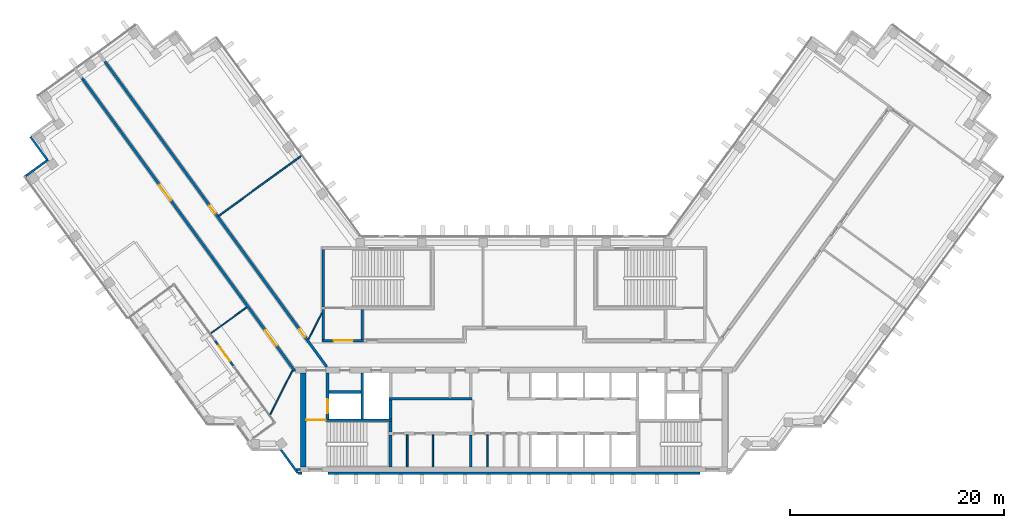
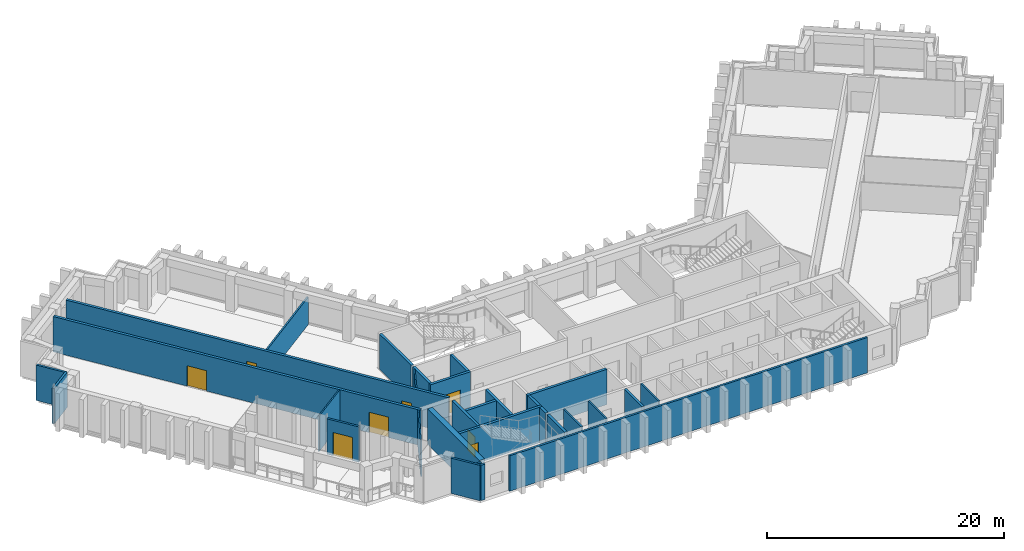
# One storey, part 5 of 12: 30 walls, 8 doors, 8 openings.
"""IFC4 building model written with IfcOpenShell, lengths in metres."""

from ifc_helpers import new_model, si_unit, direction, frame, frame_2d, origin, place, context, subcontext, project, spatial, rectangle, extrude, material, layer, layer_set, type_object, element, fill, save


model = new_model("IFC4")

# Units and contexts
model_context = context("Model", 3, precision=1e-05, world=origin(), true_north=direction((0.0, 1.0)))
body_context = subcontext(model_context, "Body", "Model", "MODEL_VIEW")
ifc_project = project(units=[si_unit("LENGTHUNIT", "METRE"), si_unit("AREAUNIT", "SQUARE_METRE"), si_unit("VOLUMEUNIT", "CUBIC_METRE"), si_unit("PLANEANGLEUNIT", "RADIAN"), si_unit("MASSUNIT", "GRAM", prefix="KILO")], contexts=[model_context])

# Site, building, storey
site_placement = place(None, origin())
site = spatial("IfcSite", under=ifc_project, at=site_placement, CompositionType="ELEMENT")
building_placement = place(site_placement, origin())
building = spatial("IfcBuilding", under=site, at=building_placement, Name="Quipu Civic Tower", CompositionType="ELEMENT")
storey_placement = place(building_placement, frame((0.0, 0.0, 164.0)))
storey = spatial("IfcBuildingStorey", under=building, at=storey_placement, Name="L38", CompositionType="ELEMENT", Elevation=164.0)

# Walls
ifc_material_1 = material(Name="Double gypsum plasterboard with mineral wool")
ifc_layer_1 = layer(ifc_material_1, 0.14990234375)
ifc_layer_set_1 = layer_set([ifc_layer_1], Name="Double gypsum plasterboard with mineral wool")
wall_type_1 = type_object("IfcWallType", Name="Acoustic partition 150 plasterboard", PredefinedType="PARTITIONING", material=ifc_layer_set_1)
wall_1_placement = place(storey_placement, frame((-19.938232421875, 18.62939453125, 0.0), z_axis=(0.0, 0.0, 1.0), x_axis=(-0.80900684162, -0.587799226107, 0.0)))
element("IfcWall", 1, at=wall_1_placement, inside=storey, type_object=wall_type_1, Name="Partition P06", PredefinedType="PARTITIONING", context=body_context, shape_type="SweptSolid", body=[
    extrude(rectangle(XDim=9.550048828125, YDim=0.14990234375, at=frame_2d((4.77490234375, 0.0))), origin(), (0.0, 0.0, 1.0), 2.85009765625),
])
ifc_material_2 = material(Name="Concrete C70/85", Category="concrete")
ifc_layer_2 = layer(ifc_material_2, 0.25)
ifc_layer_set_2 = layer_set([ifc_layer_2], Name="Concrete C70/85")
wall_type_2 = type_object("IfcWallType", Name="Core wall 250", PredefinedType="SHEAR", material=ifc_layer_set_2)
wall_2_placement = place(storey_placement, frame((-11.574951171875, -10.5, 0.0), z_axis=(0.0, 0.0, 1.0), x_axis=(0.0, 1.0, 0.0)))
element("IfcWall", 2, at=wall_2_placement, inside=storey, type_object=wall_type_2, Name="Core wall", PredefinedType="SHEAR", context=body_context, shape_type="SweptSolid", body=[
    extrude(rectangle(XDim=3.0, YDim=0.25, at=frame_2d((1.5, 0.0))), origin(), (0.0, 0.0, 1.0), 3.64990234375),
])
wall_3_placement = place(storey_placement, frame((-11.574951171875, -7.25, 0.0), z_axis=(0.0, 0.0, 1.0), x_axis=(0.0, 1.0, 0.0)))
element("IfcWall", 3, at=wall_3_placement, inside=storey, type_object=wall_type_2, Name="Core wall", PredefinedType="SHEAR", context=body_context, shape_type="SweptSolid", body=[
    extrude(rectangle(XDim=1.0, YDim=0.25, at=frame_2d((0.5, 0.0))), origin(), (0.0, 0.0, 1.0), 3.64990234375),
])

# Wall, opening, door
wall_4_placement = place(storey_placement, frame((-11.449951171875, -6.125, 0.0), z_axis=(0.0, 0.0, 1.0), x_axis=(-1.0, 0.0, 0.0)))
wall_4 = element("IfcWall", 4, at=wall_4_placement, inside=storey, type_object=wall_type_2, Name="Core wall", PredefinedType="SHEAR", context=body_context, shape_type="SweptSolid", body=[
    extrude(rectangle(XDim=8.050048828125, YDim=0.25, at=frame_2d((4.02490234375, 0.0))), origin(), (0.0, 0.0, 1.0), 3.64990234375),
])
opening_1_placement = place(wall_4_placement, frame((6.199951171875, 0.0, 0.0)))
opening_1 = element("IfcOpeningElement", 5, at=opening_1_placement, cuts=wall_4, Name="Opening CD-08", PredefinedType="OPENING", context=body_context, shape_type="SweptSolid", body=[
    extrude(rectangle(XDim=1.800048828125, YDim=2.10009765625, at=frame_2d((0.89990234375, 1.050048828125))), frame((0.0, 0.135009765625, 0.0), z_axis=(0.0, -1.0, 0.0), x_axis=(1.0, 0.0, 0.0)), (0.0, 0.0, 1.0), 0.27001953125),
])
ifc_material_3 = material(Name="Fire rated steel door", Category="steel")
door_type_1 = type_object("IfcDoorType", Name="Fire door FD90 double 1800 x 2100", OperationType="NOTDEFINED", PredefinedType="DOOR", material=ifc_material_3)
door_1_placement = place(opening_1_placement, origin())
door_1 = element("IfcDoor", 6, at=door_1_placement, inside=storey, type_object=door_type_1, Name="Door", OperationType="DOUBLE_DOOR_SINGLE_SWING", OverallHeight=2.10009765625, OverallWidth=1.800048828125, PredefinedType="DOOR", context=body_context, shape_type="SweptSolid", body=[
    extrude(rectangle(XDim=1.800048828125, YDim=2.10009765625, at=frame_2d((0.89990234375, 1.050048828125))), frame((0.0, 0.02490234375, 0.0), z_axis=(0.0, -1.0, 0.0), x_axis=(1.0, 0.0, 0.0)), (0.0, 0.0, 1.0), 0.050048828125),
])
fill(opening_1, door_1)

wall_5_placement = place(storey_placement, frame((-17.47509765625, -6.0, 0.0), z_axis=(0.0, 0.0, 1.0), x_axis=(0.0, 1.0, 0.0)))
wall_5 = element("IfcWall", 7, at=wall_5_placement, inside=storey, type_object=wall_type_2, Name="Core wall", PredefinedType="SHEAR", context=body_context, shape_type="SweptSolid", body=[
    extrude(rectangle(XDim=4.300048828125, YDim=0.25, at=frame_2d((2.14990234375, 0.0))), origin(), (0.0, 0.0, 1.0), 3.64990234375),
])
opening_2_placement = place(wall_5_placement, frame((0.550048828125, 0.0, 0.0)))
opening_2 = element("IfcOpeningElement", 8, at=opening_2_placement, cuts=wall_5, Name="Opening LD-FF1", PredefinedType="OPENING", context=body_context, shape_type="SweptSolid", body=[
    extrude(rectangle(XDim=1.300048828125, YDim=2.10009765625, at=frame_2d((0.64990234375, 1.050048828125))), frame((0.0, 0.135009765625, 0.0), z_axis=(0.0, -1.0, 0.0), x_axis=(1.0, 0.0, 0.0)), (0.0, 0.0, 1.0), 0.27001953125),
])
ifc_material_4 = material(Name="Stainless steel", Category="steel")
door_type_2 = type_object("IfcDoorType", Name="Lift landing door 1300 x 2100", OperationType="DOUBLE_DOOR_SLIDING", PredefinedType="DOOR", material=ifc_material_4)
door_2_placement = place(opening_2_placement, origin())
door_2 = element("IfcDoor", 9, at=door_2_placement, inside=storey, type_object=door_type_2, Name="Landing door FF1", OperationType="DOUBLE_DOOR_SLIDING", OverallHeight=2.10009765625, OverallWidth=1.300048828125, PredefinedType="DOOR", context=body_context, shape_type="SweptSolid", body=[
    extrude(rectangle(XDim=1.300048828125, YDim=2.10009765625, at=frame_2d((0.64990234375, 1.050048828125))), frame((0.0, 0.02490234375, 0.0), z_axis=(0.0, -1.0, 0.0), x_axis=(1.0, 0.0, 0.0)), (0.0, 0.0, 1.0), 0.050048828125),
])
fill(opening_2, door_2)

# Walls
wall_6_placement = place(storey_placement, frame((-14.22509765625, -6.0, 0.0), z_axis=(0.0, 0.0, 1.0), x_axis=(0.0, 1.0, 0.0)))
element("IfcWall", 10, at=wall_6_placement, inside=storey, type_object=wall_type_2, Name="Core wall", PredefinedType="SHEAR", context=body_context, shape_type="SweptSolid", body=[
    extrude(rectangle(XDim=4.300048828125, YDim=0.25, at=frame_2d((2.14990234375, 0.0))), origin(), (0.0, 0.0, 1.0), 3.64990234375),
])
wall_7_placement = place(storey_placement, frame((-11.574951171875, -6.0, 0.0), z_axis=(0.0, 0.0, 1.0), x_axis=(0.0, 1.0, 0.0)))
element("IfcWall", 11, at=wall_7_placement, inside=storey, type_object=wall_type_2, Name="Core wall", PredefinedType="SHEAR", context=body_context, shape_type="SweptSolid", body=[
    extrude(rectangle(XDim=1.75, YDim=0.25, at=frame_2d((0.875, 0.0))), origin(), (0.0, 0.0, 1.0), 3.64990234375),
])
wall_8_placement = place(storey_placement, frame((-11.699951171875, -4.125, 0.0), z_axis=(0.0, 0.0, 1.0), x_axis=(1.0, 0.0, 0.0)))
element("IfcWall", 12, at=wall_8_placement, inside=storey, type_object=wall_type_2, Name="Core wall", PredefinedType="SHEAR", context=body_context, shape_type="SweptSolid", body=[
    extrude(rectangle(XDim=7.75, YDim=0.25, at=frame_2d((3.875, 0.0))), origin(), (0.0, 0.0, 1.0), 3.64990234375),
])
wall_9_placement = place(storey_placement, frame((-17.35009765625, -3.47509765625, 0.0), z_axis=(0.0, 0.0, 1.0), x_axis=(1.0, 0.0, 0.0)))
element("IfcWall", 13, at=wall_9_placement, inside=storey, type_object=wall_type_2, Name="Core wall", PredefinedType="SHEAR", context=body_context, shape_type="SweptSolid", body=[
    extrude(rectangle(XDim=3.0, YDim=0.25, at=frame_2d((1.5, 0.0))), origin(), (0.0, 0.0, 1.0), 3.64990234375),
])

# Wall, opening, door
wall_10_placement = place(storey_placement, frame((-18.0, 1.324951171875, 0.0), z_axis=(0.0, 0.0, 1.0), x_axis=(1.0, 0.0, 0.0)))
wall_10 = element("IfcWall", 14, at=wall_10_placement, inside=storey, type_object=wall_type_2, Name="Core wall", PredefinedType="SHEAR", context=body_context, shape_type="SweptSolid", body=[
    extrude(rectangle(XDim=3.89990234375, YDim=0.25, at=frame_2d((1.949951171875, 0.0))), origin(), (0.0, 0.0, 1.0), 3.64990234375),
])
opening_3_placement = place(wall_10_placement, frame((1.10009765625, 0.0, 0.0)))
opening_3 = element("IfcOpeningElement", 15, at=opening_3_placement, cuts=wall_10, Name="Opening CD-22", PredefinedType="OPENING", context=body_context, shape_type="SweptSolid", body=[
    extrude(rectangle(XDim=1.800048828125, YDim=2.10009765625, at=frame_2d((0.89990234375, 1.050048828125))), frame((0.0, 0.135009765625, 0.0), z_axis=(0.0, -1.0, 0.0), x_axis=(1.0, 0.0, 0.0)), (0.0, 0.0, 1.0), 0.27001953125),
])
door_3_placement = place(opening_3_placement, origin())
door_3 = element("IfcDoor", 16, at=door_3_placement, inside=storey, type_object=door_type_1, Name="Lobby door", OperationType="DOUBLE_DOOR_SINGLE_SWING", OverallHeight=2.10009765625, OverallWidth=1.800048828125, PredefinedType="DOOR", context=body_context, shape_type="SweptSolid", body=[
    extrude(rectangle(XDim=1.800048828125, YDim=2.10009765625, at=frame_2d((0.89990234375, 1.050048828125))), frame((0.0, 0.02490234375, 0.0), z_axis=(0.0, -1.0, 0.0), x_axis=(1.0, 0.0, 0.0)), (0.0, 0.0, 1.0), 0.050048828125),
])
fill(opening_3, door_3)

# Walls
for number, where, z_axis, x_axis, name in (
    (17, (-17.875, 1.449951171875, 0.0), (0.0, 0.0, 1.0), (0.0, 1.0, 0.0), "Core wall"),
    (18, (-14.22509765625, 1.449951171875, 0.0), (0.0, 0.0, 1.0), (0.0, 1.0, 0.0), "Core wall"),
):
    element("IfcWall", number, at=place(storey_placement, frame(where, z_axis=z_axis, x_axis=x_axis)), inside=storey, type_object=wall_type_2, Name=name, PredefinedType="SHEAR", context=body_context, shape_type="SweptSolid", body=[
        extrude(rectangle(XDim=2.800048828125, YDim=0.25, at=frame_2d((1.39990234375, 0.0))), origin(), (0.0, 0.0, 1.0), 3.64990234375),
    ])
wall_11_placement = place(storey_placement, frame((-17.875, 4.5, 0.0), z_axis=(0.0, 0.0, 1.0), x_axis=(0.0, 1.0, 0.0)))
element("IfcWall", 19, at=wall_11_placement, inside=storey, type_object=wall_type_2, Name="Core wall", PredefinedType="SHEAR", context=body_context, shape_type="SweptSolid", body=[
    extrude(rectangle(XDim=5.35009765625, YDim=0.25, at=frame_2d((2.675048828125, 0.0))), origin(), (0.0, 0.0, 1.0), 3.64990234375),
])
ifc_material_5 = material(Name="Concrete C70/85", Category="concrete")
ifc_layer_3 = layer(ifc_material_5, 0.5)
ifc_layer_set_3 = layer_set([ifc_layer_3], Name="Concrete C70/85")
wall_type_3 = type_object("IfcWallType", Name="Core wall 500", PredefinedType="SHEAR", material=ifc_layer_set_3)
wall_12_placement = place(storey_placement, frame((-19.75, -10.5, 0.0), z_axis=(0.0, 0.0, 1.0), x_axis=(0.0, 1.0, 0.0)))
element("IfcWall", 20, at=wall_12_placement, inside=storey, type_object=wall_type_3, Name="Core wall", PredefinedType="SHEAR", context=body_context, shape_type="SweptSolid", body=[
    extrude(rectangle(XDim=8.800048828125, YDim=0.5, at=frame_2d((4.39990234375, 0.0))), origin(), (0.0, 0.0, 1.0), 3.64990234375),
])

# Wall, openings, doors
ifc_material_6 = material(Name="Concrete C50/60", Category="concrete")
ifc_layer_4 = layer(ifc_material_6, 0.25)
ifc_layer_set_4 = layer_set([ifc_layer_4], Name="Concrete C50/60")
wall_type_4 = type_object("IfcWallType", Name="Corridor wall 250 concrete", PredefinedType="SOLIDWALL", material=ifc_layer_set_4)
wall_13_placement = place(storey_placement, frame((-20.531005859375, -1.5234375, 0.0), z_axis=(0.0, 0.0, 1.0), x_axis=(-0.587781654618, 0.809019608226, 0.0)))
wall_13 = element("IfcWall", 21, at=wall_13_placement, inside=storey, type_object=wall_type_4, Name="Corridor wall C05", PredefinedType="SOLIDWALL", context=body_context, shape_type="SweptSolid", body=[
    extrude(rectangle(XDim=33.9111328125, YDim=0.25, at=frame_2d((16.95556640625, 0.0))), origin(), (0.0, 0.0, 1.0), 3.64990234375),
])
opening_4_placement = place(wall_13_placement, frame((19.743408203125, 0.0, 0.0)))
opening_4 = element("IfcOpeningElement", 22, at=opening_4_placement, cuts=wall_13, Name="Opening D012", PredefinedType="OPENING", context=body_context, shape_type="SweptSolid", body=[
    extrude(rectangle(XDim=1.800048828125, YDim=2.10009765625, at=frame_2d((0.89990234375, 1.050048828125))), frame((0.0, 0.135009765625, 0.0), z_axis=(0.0, -1.0, 0.0), x_axis=(1.0, 0.0, 0.0)), (0.0, 0.0, 1.0), 0.27001953125),
])
opening_5_placement = place(wall_13_placement, frame((2.92431640625, 0.0, 0.0)))
opening_5 = element("IfcOpeningElement", 23, at=opening_5_placement, cuts=wall_13, Name="Opening D013", PredefinedType="OPENING", context=body_context, shape_type="SweptSolid", body=[
    extrude(rectangle(XDim=1.800048828125, YDim=2.10009765625, at=frame_2d((0.89990234375, 1.050048828125))), frame((0.0, 0.135009765625, 0.0), z_axis=(0.0, -1.0, 0.0), x_axis=(1.0, 0.0, 0.0)), (0.0, 0.0, 1.0), 0.27001953125),
])
ifc_material_7 = material(Name="Fire rated timber door set with metal frame", Category="wood")
door_type_3 = type_object("IfcDoorType", Name="Double door 1800 x 2100 FD60", OperationType="DOUBLE_DOOR_SINGLE_SWING", PredefinedType="DOOR", material=ifc_material_7)
door_4_placement = place(opening_4_placement, origin())
door_4 = element("IfcDoor", 24, at=door_4_placement, inside=storey, type_object=door_type_3, Name="Door D012", OperationType="DOUBLE_DOOR_SINGLE_SWING", OverallHeight=2.10009765625, OverallWidth=1.800048828125, PredefinedType="DOOR", context=body_context, shape_type="SweptSolid", body=[
    extrude(rectangle(XDim=1.800048828125, YDim=2.10009765625, at=frame_2d((0.89990234375, 1.050048828125))), frame((0.0, 0.02490234375, 0.0), z_axis=(0.0, -1.0, 0.0), x_axis=(1.0, 0.0, 0.0)), (0.0, 0.0, 1.0), 0.050048828125),
])
fill(opening_4, door_4)
door_5_placement = place(opening_5_placement, origin())
door_5 = element("IfcDoor", 25, at=door_5_placement, inside=storey, type_object=door_type_3, Name="Door D013", OperationType="DOUBLE_DOOR_SINGLE_SWING", OverallHeight=2.10009765625, OverallWidth=1.800048828125, PredefinedType="DOOR", context=body_context, shape_type="SweptSolid", body=[
    extrude(rectangle(XDim=1.800048828125, YDim=2.10009765625, at=frame_2d((0.89990234375, 1.050048828125))), frame((0.0, 0.02490234375, 0.0), z_axis=(0.0, -1.0, 0.0), x_axis=(1.0, 0.0, 0.0)), (0.0, 0.0, 1.0), 0.050048828125),
])
fill(opening_5, door_5)

wall_14_placement = place(storey_placement, frame((-38.31982421875, 27.46923828125, 0.0), z_axis=(0.0, 0.0, 1.0), x_axis=(0.587788021768, -0.809014982226, 0.0)))
wall_14 = element("IfcWall", 26, at=wall_14_placement, inside=storey, type_object=wall_type_4, Name="Corridor wall C06", PredefinedType="SOLIDWALL", context=body_context, shape_type="SweptSolid", body=[
    extrude(rectangle(XDim=35.34423828125, YDim=0.25, at=frame_2d((17.672119140625, 0.0))), origin(), (0.0, 0.0, 1.0), 3.64990234375),
])
opening_6_placement = place(wall_14_placement, frame((31.002685546875, 0.0, 0.0)))
opening_6 = element("IfcOpeningElement", 27, at=opening_6_placement, cuts=wall_14, Name="Opening D011", PredefinedType="OPENING", context=body_context, shape_type="SweptSolid", body=[
    extrude(rectangle(XDim=0.89990234375, YDim=2.10009765625, at=frame_2d((0.449951171875, 1.050048828125))), frame((0.0, 0.135009765625, 0.0), z_axis=(0.0, -1.0, 0.0), x_axis=(1.0, 0.0, 0.0)), (0.0, 0.0, 1.0), 0.27001953125),
])
opening_7_placement = place(wall_14_placement, frame((16.6865234375, 0.0, 0.0)))
opening_7 = element("IfcOpeningElement", 28, at=opening_7_placement, cuts=wall_14, Name="Opening D010", PredefinedType="OPENING", context=body_context, shape_type="SweptSolid", body=[
    extrude(rectangle(XDim=0.89990234375, YDim=2.10009765625, at=frame_2d((0.449951171875, 1.050048828125))), frame((0.0, 0.135009765625, 0.0), z_axis=(0.0, -1.0, 0.0), x_axis=(1.0, 0.0, 0.0)), (0.0, 0.0, 1.0), 0.27001953125),
])
ifc_material_8 = material(Name="Fire rated timber door set with metal frame", Category="wood")
door_type_4 = type_object("IfcDoorType", Name="Single door 900 x 2100 FD60", OperationType="NOTDEFINED", PredefinedType="DOOR", material=ifc_material_8)
door_6_placement = place(opening_6_placement, origin())
door_6 = element("IfcDoor", 29, at=door_6_placement, inside=storey, type_object=door_type_4, Name="Door D011", OperationType="SINGLE_SWING_RIGHT", OverallHeight=2.10009765625, OverallWidth=0.89990234375, PredefinedType="DOOR", context=body_context, shape_type="SweptSolid", body=[
    extrude(rectangle(XDim=0.89990234375, YDim=2.10009765625, at=frame_2d((0.449951171875, 1.050048828125))), frame((0.0, 0.02490234375, 0.0), z_axis=(0.0, -1.0, 0.0), x_axis=(1.0, 0.0, 0.0)), (0.0, 0.0, 1.0), 0.050048828125),
])
fill(opening_6, door_6)
door_7_placement = place(opening_7_placement, origin())
door_7 = element("IfcDoor", 30, at=door_7_placement, inside=storey, type_object=door_type_4, Name="Door D010", OperationType="SINGLE_SWING_RIGHT", OverallHeight=2.10009765625, OverallWidth=0.89990234375, PredefinedType="DOOR", context=body_context, shape_type="SweptSolid", body=[
    extrude(rectangle(XDim=0.89990234375, YDim=2.10009765625, at=frame_2d((0.449951171875, 1.050048828125))), frame((0.0, 0.02490234375, 0.0), z_axis=(0.0, -1.0, 0.0), x_axis=(1.0, 0.0, 0.0)), (0.0, 0.0, 1.0), 0.050048828125),
])
fill(opening_7, door_7)

# Walls
ifc_material_9 = material(Name="Gypsum plasterboard on light gauge framing")
ifc_layer_5 = layer(ifc_material_9, 0.1201171875)
ifc_layer_set_5 = layer_set([ifc_layer_5], Name="Gypsum plasterboard on light gauge framing")
wall_type_5 = type_object("IfcWallType", Name="Partition 120 plasterboard", PredefinedType="PARTITIONING", material=ifc_layer_set_5)
wall_15_placement = place(storey_placement, frame((-28.47119140625, 1.96044921875, 0.0), z_axis=(0.0, 0.0, 1.0), x_axis=(0.809031498435, 0.587765288649, 0.0)))
element("IfcWall", 31, at=wall_15_placement, inside=storey, type_object=wall_type_5, Name="Partition P09", PredefinedType="PARTITIONING", context=body_context, shape_type="SweptSolid", body=[
    extrude(rectangle(XDim=4.251220703125, YDim=0.1201171875, at=frame_2d((2.12548828125, 0.0))), origin(), (0.0, 0.0, 1.0), 3.64990234375),
])
wall_16_placement = place(storey_placement, frame((-19.260986328125, 1.449951171875, 0.0), z_axis=(0.0, 0.0, 1.0), x_axis=(0.453950796792, 0.891026752736, 0.0)))
element("IfcWall", 32, at=wall_16_placement, inside=storey, type_object=wall_type_5, Name="Partition P11", PredefinedType="PARTITIONING", context=body_context, shape_type="SweptSolid", body=[
    extrude(rectangle(XDim=2.77783203125, YDim=0.1201171875, at=frame_2d((1.388916015625, 0.0))), origin(), (0.0, 0.0, 1.0), 3.64990234375),
])
wall_17_placement = place(storey_placement, frame((-22.840087890625, -5.573974609375, 0.0), z_axis=(0.0, 0.0, 1.0), x_axis=(0.453952647408, 0.891025809902, 0.0)))
element("IfcWall", 33, at=wall_17_placement, inside=storey, type_object=wall_type_5, Name="Partition P12", PredefinedType="PARTITIONING", context=body_context, shape_type="SweptSolid", body=[
    extrude(rectangle(XDim=4.62841796875, YDim=0.1201171875, at=frame_2d((2.314208984375, 0.0))), origin(), (0.0, 0.0, 1.0), 3.64990234375),
])
ifc_material_10 = material(Name="Gypsum board partition")
ifc_layer_6 = layer(ifc_material_10, 0.14990234375)
ifc_layer_set_6 = layer_set([ifc_layer_6], Name="Gypsum board partition")
wall_type_6 = type_object("IfcWallType", Name="Partition 150", PredefinedType="PARTITIONING", material=ifc_layer_set_6)
for number, where, z_axis, x_axis, name in (
    (34, (-10.0, -10.5, 0.0), (0.0, 0.0, 1.0), (0.0, 1.0, 0.0), "Partition"),
    (35, (-7.60009765625, -10.5, 0.0), (0.0, 0.0, 1.0), (0.0, 1.0, 0.0), "Partition"),
    (36, (-2.47509765625, -10.5, 0.0), (0.0, 0.0, 1.0), (0.0, 1.0, 0.0), "Partition"),
):
    element("IfcWall", number, at=place(storey_placement, frame(where, z_axis=z_axis, x_axis=x_axis)), inside=storey, type_object=wall_type_6, Name=name, PredefinedType="PARTITIONING", context=body_context, shape_type="SweptSolid", body=[
        extrude(rectangle(XDim=3.0, YDim=0.14990234375, at=frame_2d((1.5, 0.0))), origin(), (0.0, 0.0, 1.0), 3.64990234375),
    ])
ifc_material_11 = material(Name="Precast concrete C40/50", Category="concrete")
wall_type_7 = type_object("IfcWallType", Name="Precast cladding wall", PredefinedType="SOLIDWALL", material=ifc_material_11)
wall_18_placement = place(storey_placement, frame((-21.8330078125, -8.90869140625, 0.0), z_axis=(0.0, 0.0, 1.0), x_axis=(0.587766567315, -0.809030569476, 0.0)))
element("IfcWall", 37, at=wall_18_placement, inside=storey, type_object=wall_type_7, Name="Precast cladding wall L38 P09", PredefinedType="SOLIDWALL", context=body_context, shape_type="SweptSolid", body=[
    extrude(rectangle(XDim=2.687744140625, YDim=0.199951171875, at=frame_2d((1.34375, 0.0))), origin(), (0.0, 0.0, 1.0), 3.64990234375),
])
wall_19_placement = place(storey_placement, frame((-20.255859375, -11.087890625, 0.0), z_axis=(0.0, 0.0, 1.0), x_axis=(1.0, 0.0, 0.0)))
element("IfcWall", 38, at=wall_19_placement, inside=storey, type_object=wall_type_7, Name="Precast cladding wall L38 P10", PredefinedType="SOLIDWALL", context=body_context, shape_type="SweptSolid", body=[
    extrude(rectangle(XDim=0.40576171875, YDim=0.199951171875, at=frame_2d((0.202880859375, 0.0))), origin(), (0.0, 0.0, 1.0), 3.64990234375),
])
wall_20_placement = place(storey_placement, frame((-17.44384765625, -11.087890625, 0.0), z_axis=(0.0, 0.0, 1.0), x_axis=(1.0, 0.0, 0.0)))
element("IfcWall", 39, at=wall_20_placement, inside=storey, type_object=wall_type_7, Name="Precast cladding wall L38 P11", PredefinedType="SOLIDWALL", context=body_context, shape_type="SweptSolid", body=[
    extrude(rectangle(XDim=34.8876953125, YDim=0.199951171875, at=frame_2d((17.44384765625, 0.0))), origin(), (0.0, 0.0, 1.0), 3.64990234375),
])
for number, where, z_axis, x_axis, name in (
    (40, (-45.29638671875, 20.43359375, 0.0), (0.0, 0.0, 1.0), (0.587762999008, -0.809033161865, 0.0), "Precast cladding wall L38 10"),
    (41, (-43.658203125, 18.271728515625, 0.0), (0.0, 0.0, 1.0), (-0.808958916286, -0.58786518162, 0.0), "Precast cladding wall L38 11"),
):
    element("IfcWall", number, at=place(storey_placement, frame(where, z_axis=z_axis, x_axis=x_axis)), inside=storey, type_object=wall_type_7, Name=name, PredefinedType="SOLIDWALL", context=body_context, shape_type="SweptSolid", body=[
        extrude(rectangle(XDim=2.699951171875, YDim=0.199951171875, at=frame_2d((1.35009765625, 0.0))), origin(), (0.0, 0.0, 1.0), 3.64990234375),
    ])
wall_21_placement = place(storey_placement, frame((-19.97998046875, -10.75, 0.0), z_axis=(0.0, 0.0, 1.0), x_axis=(-1.0, 0.0, 0.0)))
element("IfcWall", 42, at=wall_21_placement, inside=storey, type_object=wall_type_7, Name="Precast cladding return L38 W", PredefinedType="SOLIDWALL", context=body_context, shape_type="SweptSolid", body=[
    extrude(rectangle(XDim=0.41650390625, YDim=0.199951171875, at=frame_2d((0.208251953125, 0.0))), origin(), (0.0, 0.0, 1.0), 3.64990234375),
])

# Wall, opening, door
ifc_material_12 = material(Name="Precast concrete C40/50", Category="concrete")
wall_type_8 = type_object("IfcWallType", Name="Precast door surround", PredefinedType="SOLIDWALL", material=ifc_material_12)
wall_22_placement = place(storey_placement, frame((-26.26806640625, -1.0703125, 0.0), z_axis=(0.0, 0.0, 1.0), x_axis=(-0.587735577821, 0.809053082661, 0.0)))
wall_22 = element("IfcWall", 43, at=wall_22_placement, inside=storey, type_object=wall_type_8, Name="Door surround ED-L38-1", PredefinedType="SOLIDWALL", context=body_context, shape_type="SweptSolid", body=[
    extrude(rectangle(XDim=2.962890625, YDim=0.199951171875, at=frame_2d((1.4814453125, 0.0))), origin(), (0.0, 0.0, 1.0), 3.64990234375),
])
opening_8_placement = place(wall_22_placement, frame((0.58154296875, 0.0, 0.0)))
opening_8 = element("IfcOpeningElement", 44, at=opening_8_placement, cuts=wall_22, Name="Opening ED-L38-1", PredefinedType="OPENING", context=body_context, shape_type="SweptSolid", body=[
    extrude(rectangle(XDim=1.800048828125, YDim=2.39990234375, at=frame_2d((0.89990234375, 1.199951171875))), frame((0.0, 0.10986328125, 0.0), z_axis=(0.0, -1.0, 0.0), x_axis=(1.0, 0.0, 0.0)), (0.0, 0.0, 1.0), 0.219970703125),
])
ifc_material_13 = material(Name="Aluminium framed glazed door", Category="aluminium")
door_type_5 = type_object("IfcDoorType", Name="Terrace door E3", OperationType="DOUBLE_DOOR_SINGLE_SWING", PredefinedType="DOOR", material=ifc_material_13)
door_8_placement = place(opening_8_placement, origin())
door_8 = element("IfcDoor", 45, at=door_8_placement, inside=storey, type_object=door_type_5, Name="E3 door ED-L38-1", OperationType="DOUBLE_DOOR_SINGLE_SWING", OverallHeight=2.39990234375, OverallWidth=1.800048828125, PredefinedType="DOOR", context=body_context, shape_type="SweptSolid", body=[
    extrude(rectangle(XDim=1.800048828125, YDim=2.39990234375, at=frame_2d((0.89990234375, 1.199951171875))), frame((0.0, 0.02490234375, 0.0), z_axis=(0.0, -1.0, 0.0), x_axis=(1.0, 0.0, 0.0)), (0.0, 0.0, 1.0), 0.050048828125),
])
fill(opening_8, door_8)

# Wall
ifc_material_14 = material(Name="Concrete C40/50", Category="concrete")
ifc_layer_7 = layer(ifc_material_14, 0.199951171875)
ifc_layer_set_7 = layer_set([ifc_layer_7], Name="Concrete C40/50")
wall_type_9 = type_object("IfcWallType", Name="Shaft wall 200", PredefinedType="SOLIDWALL", material=ifc_layer_set_7)
wall_23_placement = place(storey_placement, frame((-4.050048828125, -10.5, 0.0), z_axis=(0.0, 0.0, 1.0), x_axis=(0.0, 1.0, 0.0)))
element("IfcWall", 46, at=wall_23_placement, inside=storey, type_object=wall_type_9, Name="Shaft wall", PredefinedType="SOLIDWALL", context=body_context, shape_type="SweptSolid", body=[
    extrude(rectangle(XDim=3.0, YDim=0.199951171875, at=frame_2d((1.5, 0.0))), origin(), (0.0, 0.0, 1.0), 3.64990234375),
])

save(model, "model.ifc")
